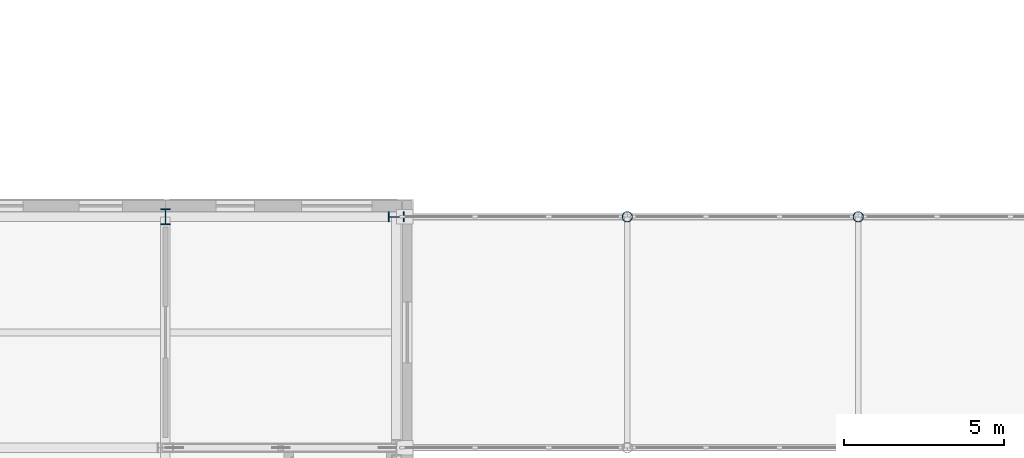
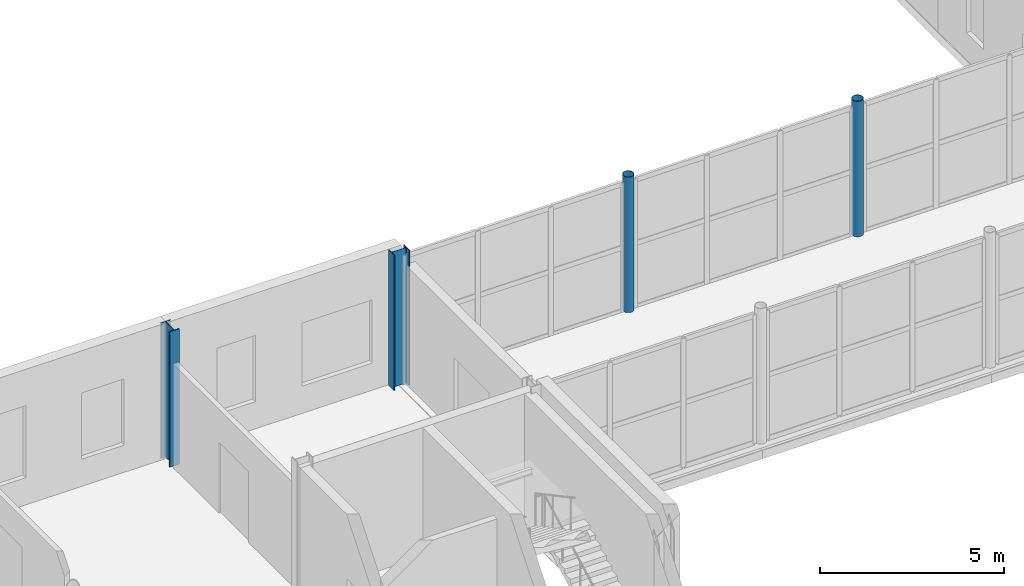
# One storey, part 9 of 92: 4 columns.
"""IFC4 building model written with IfcOpenShell, lengths in metres."""

from ifc_helpers import new_model, si_unit, direction, frame, origin, origin_2d, place, context, subcontext, project, spatial, hollow_circle, i_section, extrude, material, material_profile, profile_set, type_object, element, save


model = new_model("IFC4")

# Units and contexts
model_context = context("Model", 3, precision=1e-05, world=origin(), true_north=direction((0.0, 1.0)))
body_context = subcontext(model_context, "Body", "Model", "MODEL_VIEW")
ifc_project = project(units=[si_unit("LENGTHUNIT", "METRE"), si_unit("AREAUNIT", "SQUARE_METRE"), si_unit("VOLUMEUNIT", "CUBIC_METRE"), si_unit("PLANEANGLEUNIT", "RADIAN"), si_unit("MASSUNIT", "GRAM", prefix="KILO")], contexts=[model_context])

# Site, building, storey
site_placement = place(None, origin())
site = spatial("IfcSite", under=ifc_project, at=site_placement, CompositionType="ELEMENT")
building_placement = place(site_placement, origin())
building = spatial("IfcBuilding", under=site, at=building_placement, Name="Zlatovets Crest Museum", CompositionType="ELEMENT")
storey_placement = place(building_placement, origin())
storey = spatial("IfcBuildingStorey", under=building, at=storey_placement, Name="L00", CompositionType="ELEMENT", Elevation=0.0)

# Columns
ifc_material = material(Name="Structural steel S355J2", Category="steel")
ifc_material_profile_1 = material_profile(ifc_material, i_section(OverallWidth=0.300048828125, OverallDepth=0.5, WebThickness=0.014404296875, FlangeThickness=0.028076171875, FilletRadius=0.027099609375, at=origin_2d()), Name="HEB 500")
ifc_profile_set_1 = profile_set([ifc_material_profile_1], Name="Structural steel S355J2")
column_type_1 = type_object("IfcColumnType", Name="Col_C-05", PredefinedType="COLUMN", material=ifc_profile_set_1)
for number, where, z_axis, x_axis, name in (
    (1, (100.800048828125, 28.800048828125, 0.0), (0.0, 0.0, 1.0), (1.0, 0.0, 0.0), "V2 L00 Column (100.8, 28.8)"),
    (2, (108.0, 28.800048828125, 0.0), (0.0, 0.0, 1.0), (0.0, 1.0, 0.0), "V2 L00 Column (108.0, 28.8)"),
):
    element("IfcColumn", number, at=place(storey_placement, frame(where, z_axis=z_axis, x_axis=x_axis)), inside=storey, type_object=column_type_1, Name=name, PredefinedType="COLUMN", context=body_context, shape_type="SweptSolid", body=[
        extrude(i_section(OverallWidth=0.300048828125, OverallDepth=0.5, WebThickness=0.014404296875, FlangeThickness=0.028076171875, FilletRadius=0.027099609375, at=origin_2d()), origin(), (0.0, 0.0, 1.0), 4.5),
    ])
ifc_material_profile_2 = material_profile(ifc_material, hollow_circle(Radius=0.161865234375, WallThickness=0.012451171875, at=origin_2d()), Name="CHS 323.9x12.5")
ifc_profile_set_2 = profile_set([ifc_material_profile_2], Name="Structural steel S355J2")
column_type_2 = type_object("IfcColumnType", Name="Col_C-13", PredefinedType="COLUMN", material=ifc_profile_set_2)
for number, where, z_axis, x_axis, name in (
    (3, (115.199951171875, 28.800048828125, 0.0), (0.0, 0.0, 1.0), (1.0, 0.0, 0.0), "Southeast Archive Glazed Link Bridge Portal Column"),
    (4, (122.39990234375, 28.800048828125, 0.0), (0.0, 0.0, 1.0), (1.0, 0.0, 0.0), "Southeast Archive Glazed Link Bridge Portal Column"),
):
    element("IfcColumn", number, at=place(storey_placement, frame(where, z_axis=z_axis, x_axis=x_axis)), inside=storey, type_object=column_type_2, Name=name, PredefinedType="COLUMN", context=body_context, shape_type="SweptSolid", body=[
        extrude(hollow_circle(Radius=0.161865234375, WallThickness=0.012451171875, at=origin_2d()), origin(), (0.0, 0.0, 1.0), 4.5),
    ])

save(model, "model.ifc")
